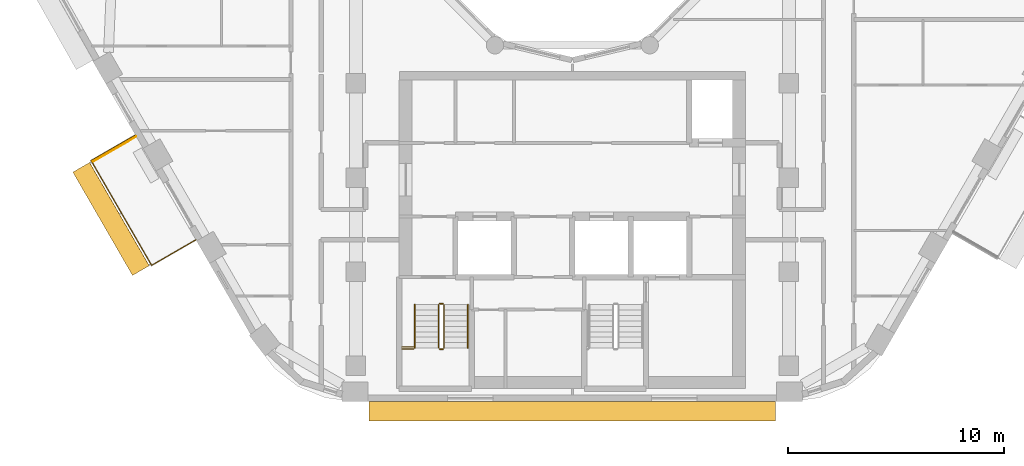
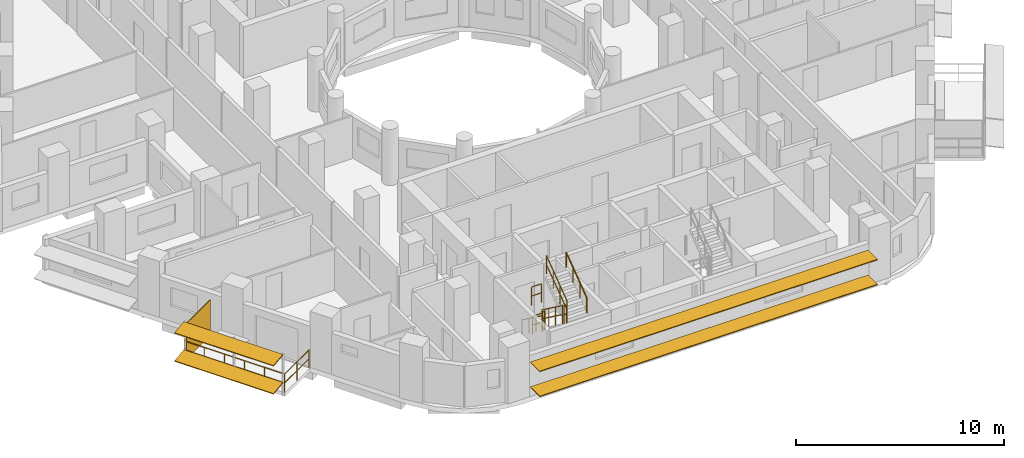
# One storey, part 12 of 15: 9 railings, 5 shading devices.
"""IFC4 building model written with IfcOpenShell, lengths in metres."""

from ifc_helpers import new_model, si_unit, direction, frame, origin, origin_2d, place, context, subcontext, project, spatial, rectangle, circle, extrude, material, layer, layer_set, material_profile, profile_set, type_object, element, save


model = new_model("IFC4")

# Units and contexts
model_context = context("Model", 3, precision=1e-05, world=origin(), true_north=direction((0.0, 1.0)))
body_context = subcontext(model_context, "Body", "Model", "MODEL_VIEW")
ifc_project = project(units=[si_unit("LENGTHUNIT", "METRE"), si_unit("AREAUNIT", "SQUARE_METRE"), si_unit("VOLUMEUNIT", "CUBIC_METRE"), si_unit("PLANEANGLEUNIT", "RADIAN"), si_unit("MASSUNIT", "GRAM", prefix="KILO")], contexts=[model_context])

# Site, building, storey
site_placement = place(None, origin())
site = spatial("IfcSite", under=ifc_project, at=site_placement, CompositionType="ELEMENT")
building_placement = place(site_placement, origin())
building = spatial("IfcBuilding", under=site, at=building_placement, Name="Nakaniwa Court", CompositionType="ELEMENT")
storey_placement = place(building_placement, frame((0.0, 0.0, 183.300048828125)))
storey = spatial("IfcBuildingStorey", under=building, at=storey_placement, Name="L47", CompositionType="ELEMENT", Elevation=183.300048828125)

# Railing
ifc_material_1 = material(Name="Black powder-coated steel flat bar balustrade S275", Category="steel")
railing_type_1 = type_object("IfcRailingType", Name="Black metal balcony guard 1100", PredefinedType="GUARDRAIL", material=ifc_material_1)
railing_1_placement = place(storey_placement, frame((59.814697265625, 69.662109375, -0.050048828125)))
element("IfcRailing", 1, at=railing_1_placement, inside=storey, type_object=railing_type_1, Name="L47 balcony guard 01", PredefinedType="GUARDRAIL", context=body_context, shape_type="SweptSolid", body=[
    extrude(circle(Radius=0.02392578125, at=origin_2d()), frame((0.0, 0.0, 1.076171875), z_axis=(-0.866006432019, -0.500032858622, 0.0), x_axis=(0.500032858622, -0.866006432019, 0.0)), (0.0, 0.0, 1.0), 2.360107421875),
    extrude(circle(Radius=0.02392578125, at=origin_2d()), frame((0.0, 0.0, 0.550048828125), z_axis=(-0.866006432019, -0.500032858622, 0.0), x_axis=(0.500032858622, -0.866006432019, 0.0)), (0.0, 0.0, 1.0), 2.360107421875),
    extrude(circle(Radius=0.02392578125, at=origin_2d()), frame((-2.0439453125, -1.18017578125, 1.076171875), z_axis=(0.500033774286, -0.866005903313, 0.0), x_axis=(0.866005903313, 0.500033774286, 0.0)), (0.0, 0.0, 1.0), 5.5888671875),
    extrude(circle(Radius=0.02392578125, at=origin_2d()), frame((-2.0439453125, -1.18017578125, 0.550048828125), z_axis=(0.500033774286, -0.866005903313, 0.0), x_axis=(0.866005903313, 0.500033774286, 0.0)), (0.0, 0.0, 1.0), 5.5888671875),
    extrude(circle(Radius=0.02392578125, at=origin_2d()), frame((0.750732421875, -6.020263671875, 1.076171875), z_axis=(0.865980564943, 0.500077655111, 0.0), x_axis=(-0.500077655111, 0.865980564943, 0.0)), (0.0, 0.0, 1.0), 2.35986328125),
    extrude(circle(Radius=0.02392578125, at=origin_2d()), frame((0.750732421875, -6.020263671875, 0.550048828125), z_axis=(0.865980564943, 0.500077655111, 0.0), x_axis=(-0.500077655111, 0.865980564943, 0.0)), (0.0, 0.0, 1.0), 2.35986328125),
    extrude(circle(Radius=0.02099609375, at=origin_2d()), origin(), (0.0, 0.0, 1.0), 1.052001953125),
    extrude(circle(Radius=0.02099609375, at=origin_2d()), frame((-1.02197265625, -0.590087890625, 0.0)), (0.0, 0.0, 1.0), 1.052001953125),
    extrude(circle(Radius=0.02099609375, at=origin_2d()), frame((-2.0439453125, -1.18017578125, 0.0)), (0.0, 0.0, 1.0), 1.052001953125),
    extrude(circle(Radius=0.02099609375, at=origin_2d()), frame((-1.485107421875, -2.148193359375, 0.0)), (0.0, 0.0, 1.0), 1.052001953125),
    extrude(circle(Radius=0.02099609375, at=origin_2d()), frame((-0.926025390625, -3.1162109375, 0.0)), (0.0, 0.0, 1.0), 1.052001953125),
    extrude(circle(Radius=0.02099609375, at=origin_2d()), frame((-0.3671875, -4.084228515625, 0.0)), (0.0, 0.0, 1.0), 1.052001953125),
    extrude(circle(Radius=0.02099609375, at=origin_2d()), frame((0.19189453125, -5.05224609375, 0.0)), (0.0, 0.0, 1.0), 1.052001953125),
    extrude(circle(Radius=0.02099609375, at=origin_2d()), frame((0.750732421875, -6.020263671875, 0.0)), (0.0, 0.0, 1.0), 1.052001953125),
    extrude(circle(Radius=0.02099609375, at=origin_2d()), frame((1.7724609375, -5.43017578125, 0.0)), (0.0, 0.0, 1.0), 1.052001953125),
    extrude(circle(Radius=0.02099609375, at=origin_2d()), frame((2.79443359375, -4.840087890625, 0.0)), (0.0, 0.0, 1.0), 1.052001953125),
])

# Shading devices
ifc_material_2 = material(Name="Black powder-coated aluminium slat screen", Category="aluminium")
ifc_layer = layer(ifc_material_2, 0.0400390625)
ifc_layer_set = layer_set([ifc_layer], Name="Black powder-coated aluminium slat screen")
shading_device_type_1 = type_object("IfcShadingDeviceType", Name="Koshi screen black metal", PredefinedType="USERDEFINED", material=ifc_layer_set)
shading_device_placement = place(storey_placement, frame((58.854248046875, 69.01513671875, -0.050048828125), z_axis=(0.0, 0.0, 1.0), x_axis=(0.500016626402, -0.866015804314, 0.0)))
element("IfcShadingDevice", 2, at=shading_device_placement, inside=storey, type_object=shading_device_type_1, Name="L47 balcony SCREEN 01 W", ObjectType="KOSHI SCREEN", PredefinedType="USERDEFINED", context=body_context, shape_type="SweptSolid", body=[
    extrude(rectangle(XDim=0.0400390625, YDim=2.31005859375, at=origin_2d()), origin(), (0.0, 0.0, 1.0), 2.10009765625),
])
ifc_material_3 = material(Name="Perforated charcoal ceramic louvre blade")
ifc_material_profile = material_profile(ifc_material_3, rectangle(XDim=0.89990234375, YDim=0.050048828125, at=origin_2d()), Name="Perforated ceramic louvre blade")
ifc_profile_set = profile_set([ifc_material_profile], Name="Perforated charcoal ceramic louvre blade")
shading_device_type_2 = type_object("IfcShadingDeviceType", Name="Perforated ceramic louvre blade", PredefinedType="JALOUSIE", material=ifc_profile_set)
for number, where, z_axis, x_axis, name in (
    (3, (57.31494140625, 68.172607421875, 0.5), (0.500033184159, -0.866006244053, 0.0), (0.858597440584, 0.495755330951, 0.13052619222), "L47 perforated ceramic louvre blade 01 1"),
    (4, (57.31494140625, 68.172607421875, 2.14990234375), (0.500033184159, -0.866006244053, 0.0), (0.858597440584, 0.495755330951, 0.13052619222), "L47 perforated ceramic louvre blade 01 2"),
):
    element("IfcShadingDevice", number, at=place(storey_placement, frame(where, z_axis=z_axis, x_axis=x_axis)), inside=storey, type_object=shading_device_type_2, Name=name, PredefinedType="JALOUSIE", context=body_context, shape_type="SweptSolid", body=[
        extrude(rectangle(XDim=0.89990234375, YDim=0.050048828125, at=origin_2d()), origin(), (0.0, 0.0, 1.0), 5.509033203125),
    ])
for number, where, z_axis, x_axis, name in (
    (5, (70.6005859375, 56.89990234375, 0.550048828125), (1.0, 0.0, 0.0), (0.0, 1.0, 0.0), "L47 perforated ceramic louvre blade w26 1"),
    (6, (70.6005859375, 56.89990234375, 2.014892578125), (1.0, 0.0, 0.0), (0.0, 1.0, 0.0), "L47 perforated ceramic louvre blade w26 2"),
):
    element("IfcShadingDevice", number, at=place(storey_placement, frame(where, z_axis=z_axis, x_axis=x_axis)), inside=storey, type_object=shading_device_type_2, Name=name, PredefinedType="JALOUSIE", context=body_context, shape_type="SweptSolid", body=[
        extrude(rectangle(XDim=0.89990234375, YDim=0.050048828125, at=origin_2d()), origin(), (0.0, 0.0, 1.0), 18.79296875),
    ])

# Railings
ifc_material_4 = material(Name="Black powder coated steel guard", Category="steel")
railing_type_2 = type_object("IfcRailingType", Name="Stair guard 1100", PredefinedType="GUARDRAIL", material=ifc_material_4)
railing_2_placement = place(storey_placement, frame((73.824951171875, 61.824951171875, 0.183349609375)))
element("IfcRailing", 7, at=railing_2_placement, inside=storey, type_object=railing_type_2, Name="L47 ST3 stair guard 1", PredefinedType="GUARDRAIL", context=body_context, shape_type="SweptSolid", body=[
    extrude(circle(Radius=0.02392578125, at=origin_2d()), frame((0.0, 0.0, 1.076171875), z_axis=(0.0, -0.806426902644, 0.591333789573), x_axis=(1.0, 0.0, 0.0)), (0.0, 0.0, 1.0), 2.47998046875),
    extrude(circle(Radius=0.02392578125, at=origin_2d()), frame((0.0, 0.0, 0.550048828125), z_axis=(0.0, -0.806426902644, 0.591333789573), x_axis=(1.0, 0.0, 0.0)), (0.0, 0.0, 1.0), 2.47998046875),
    extrude(circle(Radius=0.02099609375, at=origin_2d()), origin(), (0.0, 0.0, 1.0), 1.052001953125),
    extrude(circle(Radius=0.02099609375, at=origin_2d()), frame((0.0, -0.666748046875, 0.48876953125)), (0.0, 0.0, 1.0), 1.052001953125),
    extrude(circle(Radius=0.02099609375, at=origin_2d()), frame((0.0, -1.333251953125, 0.977783203125)), (0.0, 0.0, 1.0), 1.052001953125),
    extrude(circle(Radius=0.02099609375, at=origin_2d()), frame((0.0, -2.0, 1.466552734375)), (0.0, 0.0, 1.0), 1.052001953125),
])
railing_3_placement = place(storey_placement, frame((73.875, 59.77490234375, 1.64990234375)))
element("IfcRailing", 8, at=railing_3_placement, inside=storey, type_object=railing_type_2, Name="L47 ST3 stair guard 2", PredefinedType="GUARDRAIL", context=body_context, shape_type="SweptSolid", body=[
    extrude(circle(Radius=0.02392578125, at=origin_2d()), frame((0.0, 0.0, 1.076171875), z_axis=(1.0, 0.0, 0.0), x_axis=(0.0, 1.0, 0.0)), (0.0, 0.0, 1.0), 0.14990234375),
    extrude(circle(Radius=0.02392578125, at=origin_2d()), frame((0.0, 0.0, 0.550048828125), z_axis=(1.0, 0.0, 0.0), x_axis=(0.0, 1.0, 0.0)), (0.0, 0.0, 1.0), 0.14990234375),
    extrude(circle(Radius=0.02099609375, at=origin_2d()), origin(), (0.0, 0.0, 1.0), 1.052001953125),
    extrude(circle(Radius=0.02099609375, at=origin_2d()), frame((0.14990234375, 0.0, 0.0)), (0.0, 0.0, 1.0), 1.052001953125),
])
railing_4_placement = place(storey_placement, frame((74.074951171875, 59.824951171875, 1.833251953125)))
element("IfcRailing", 9, at=railing_4_placement, inside=storey, type_object=railing_type_2, Name="L47 ST3 stair guard 3", PredefinedType="GUARDRAIL", context=body_context, shape_type="SweptSolid", body=[
    extrude(circle(Radius=0.02392578125, at=origin_2d()), frame((0.0, 0.0, 1.076171875), z_axis=(0.0, 0.806379959628, 0.591397802423), x_axis=(-1.0, 0.0, 0.0)), (0.0, 0.0, 1.0), 2.480224609375),
    extrude(circle(Radius=0.02392578125, at=origin_2d()), frame((0.0, 0.0, 0.550048828125), z_axis=(0.0, 0.806379959628, 0.591397802423), x_axis=(-1.0, 0.0, 0.0)), (0.0, 0.0, 1.0), 2.480224609375),
    extrude(circle(Radius=0.02099609375, at=origin_2d()), origin(), (0.0, 0.0, 1.0), 1.052001953125),
    extrude(circle(Radius=0.02099609375, at=origin_2d()), frame((0.0, 0.666748046875, 0.489013671875)), (0.0, 0.0, 1.0), 1.052001953125),
    extrude(circle(Radius=0.02099609375, at=origin_2d()), frame((0.0, 1.333251953125, 0.977783203125)), (0.0, 0.0, 1.0), 1.052001953125),
    extrude(circle(Radius=0.02099609375, at=origin_2d()), frame((0.0, 2.0, 1.466796875)), (0.0, 0.0, 1.0), 1.052001953125),
])
railing_5_placement = place(storey_placement, frame((73.875, 61.875, 0.0)))
element("IfcRailing", 10, at=railing_5_placement, inside=storey, type_object=railing_type_2, Name="L47 ST3 stair guard 4", PredefinedType="GUARDRAIL", context=body_context, shape_type="SweptSolid", body=[
    extrude(circle(Radius=0.02392578125, at=origin_2d()), frame((0.0, 0.0, 1.076171875), z_axis=(1.0, 0.0, 0.0), x_axis=(0.0, 1.0, 0.0)), (0.0, 0.0, 1.0), 0.14990234375),
    extrude(circle(Radius=0.02392578125, at=origin_2d()), frame((0.0, 0.0, 0.550048828125), z_axis=(1.0, 0.0, 0.0), x_axis=(0.0, 1.0, 0.0)), (0.0, 0.0, 1.0), 0.14990234375),
    extrude(circle(Radius=0.02099609375, at=origin_2d()), origin(), (0.0, 0.0, 1.0), 1.052001953125),
    extrude(circle(Radius=0.02099609375, at=origin_2d()), frame((0.14990234375, 0.0, 0.0)), (0.0, 0.0, 1.0), 1.052001953125),
])
for number, where, name in (
    (11, (72.125, 59.77490234375, 1.64990234375), "L47 ST3 landing side guard 1W"),
    (12, (72.125, 59.875, 3.300048828125), "L47 ST3 floor edge guard 1W"),
):
    element("IfcRailing", number, at=place(storey_placement, frame(where)), inside=storey, type_object=railing_type_2, Name=name, PredefinedType="GUARDRAIL", context=body_context, shape_type="SweptSolid", body=[
        extrude(circle(Radius=0.02392578125, at=origin_2d()), frame((0.0, 0.0, 1.076171875), z_axis=(1.0, 0.0, 0.0), x_axis=(0.0, 1.0, 0.0)), (0.0, 0.0, 1.0), 0.550048828125),
        extrude(circle(Radius=0.02392578125, at=origin_2d()), frame((0.0, 0.0, 0.550048828125), z_axis=(1.0, 0.0, 0.0), x_axis=(0.0, 1.0, 0.0)), (0.0, 0.0, 1.0), 0.550048828125),
        extrude(circle(Radius=0.02099609375, at=origin_2d()), origin(), (0.0, 0.0, 1.0), 1.052001953125),
        extrude(circle(Radius=0.02099609375, at=origin_2d()), frame((0.550048828125, 0.0, 0.0)), (0.0, 0.0, 1.0), 1.052001953125),
    ])
ifc_material_5 = material(Name="Black powder coated steel handrail", Category="steel")
railing_type_3 = type_object("IfcRailingType", Name="Stair handrail 900", PredefinedType="HANDRAIL", material=ifc_material_5)
railing_6_placement = place(storey_placement, frame((72.72509765625, 61.824951171875, 0.183349609375)))
element("IfcRailing", 13, at=railing_6_placement, inside=storey, type_object=railing_type_3, Name="L47 ST3 stair handrail 1", PredefinedType="HANDRAIL", context=body_context, shape_type="SweptSolid", body=[
    extrude(circle(Radius=0.02392578125, at=origin_2d()), frame((0.0, 0.0, 0.8759765625), z_axis=(0.0, -0.806426902644, 0.591333789573), x_axis=(1.0, 0.0, 0.0)), (0.0, 0.0, 1.0), 2.47998046875),
    extrude(circle(Radius=0.02099609375, at=origin_2d()), origin(), (0.0, 0.0, 1.0), 0.851806640625),
    extrude(circle(Radius=0.02099609375, at=origin_2d()), frame((0.0, -0.666748046875, 0.48876953125)), (0.0, 0.0, 1.0), 0.851806640625),
    extrude(circle(Radius=0.02099609375, at=origin_2d()), frame((0.0, -1.333251953125, 0.977783203125)), (0.0, 0.0, 1.0), 0.851806640625),
    extrude(circle(Radius=0.02099609375, at=origin_2d()), frame((0.0, -2.0, 1.466552734375)), (0.0, 0.0, 1.0), 0.851806640625),
])
railing_7_placement = place(storey_placement, frame((75.175048828125, 59.824951171875, 1.833251953125)))
element("IfcRailing", 14, at=railing_7_placement, inside=storey, type_object=railing_type_3, Name="L47 ST3 stair handrail 2", PredefinedType="HANDRAIL", context=body_context, shape_type="SweptSolid", body=[
    extrude(circle(Radius=0.02392578125, at=origin_2d()), frame((0.0, 0.0, 0.8759765625), z_axis=(0.0, 0.806379959628, 0.591397802423), x_axis=(-1.0, 0.0, 0.0)), (0.0, 0.0, 1.0), 2.480224609375),
    extrude(circle(Radius=0.02099609375, at=origin_2d()), origin(), (0.0, 0.0, 1.0), 0.851806640625),
    extrude(circle(Radius=0.02099609375, at=origin_2d()), frame((0.0, 0.666748046875, 0.489013671875)), (0.0, 0.0, 1.0), 0.851806640625),
    extrude(circle(Radius=0.02099609375, at=origin_2d()), frame((0.0, 1.333251953125, 0.977783203125)), (0.0, 0.0, 1.0), 0.851806640625),
    extrude(circle(Radius=0.02099609375, at=origin_2d()), frame((0.0, 2.0, 1.466796875)), (0.0, 0.0, 1.0), 0.851806640625),
])

save(model, "model.ifc")
